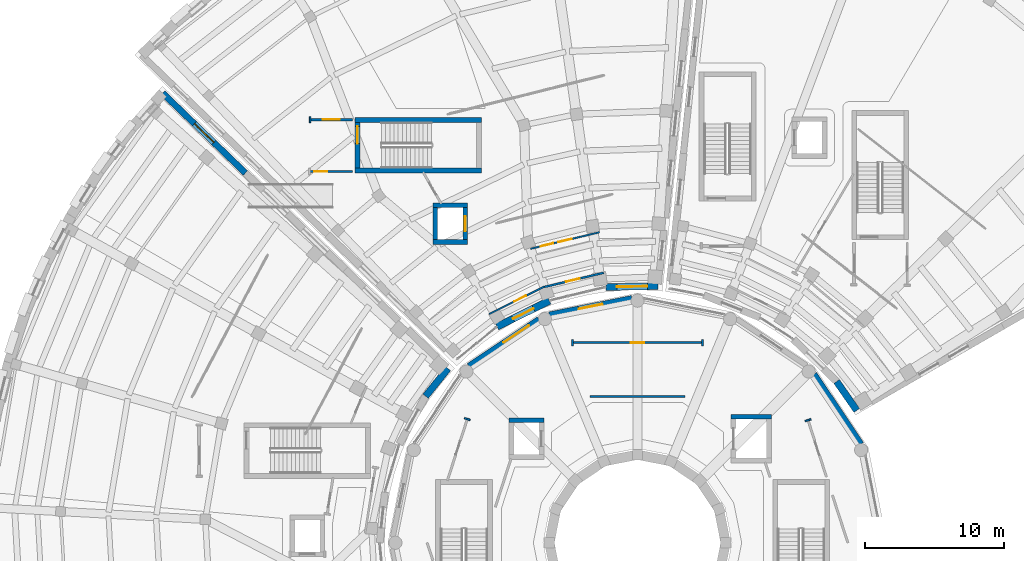
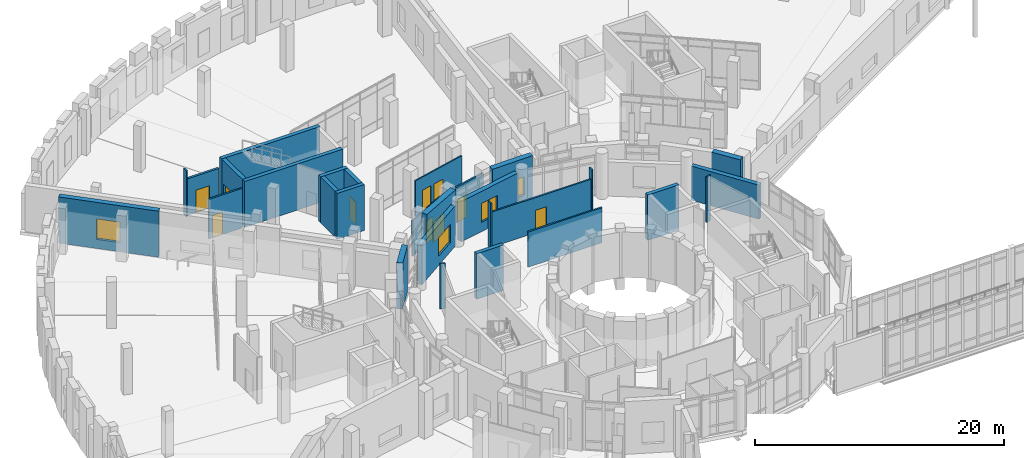
# One storey, part 68 of 89: 29 walls, 9 doors, 5 windows, 14 openings.
"""IFC4 building model written with IfcOpenShell, lengths in metres."""

from ifc_helpers import new_model, si_unit, direction, frame, frame_2d, origin, place, context, subcontext, project, spatial, rectangle, extrude, material, layer, layer_set, type_object, element, fill, save


model = new_model("IFC4")

# Units and contexts
model_context = context("Model", 3, precision=1e-05, world=origin(), true_north=direction((0.0, 1.0)))
body_context = subcontext(model_context, "Body", "Model", "MODEL_VIEW")
ifc_project = project(units=[si_unit("LENGTHUNIT", "METRE"), si_unit("AREAUNIT", "SQUARE_METRE"), si_unit("VOLUMEUNIT", "CUBIC_METRE"), si_unit("PLANEANGLEUNIT", "RADIAN"), si_unit("MASSUNIT", "GRAM", prefix="KILO")], contexts=[model_context])

# Site, building, storey
site_placement = place(None, origin())
site = spatial("IfcSite", under=ifc_project, at=site_placement, CompositionType="ELEMENT")
building_placement = place(site_placement, origin())
building = spatial("IfcBuilding", under=site, at=building_placement, Name="Soyqirgoq Riverine Aquarium", CompositionType="ELEMENT")
storey_placement = place(building_placement, frame((0.0, 0.0, 5.39990234375)))
storey = spatial("IfcBuildingStorey", under=building, at=storey_placement, Name="L02", CompositionType="ELEMENT", Elevation=5.39990234375)

# Walls
ifc_material_1 = material(Name="Concrete C40/50", Category="concrete")
ifc_layer_1 = layer(ifc_material_1, 0.35009765625)
ifc_layer_set_1 = layer_set([ifc_layer_1], Name="Concrete C40/50")
wall_type_1 = type_object("IfcWallType", Name="CoreShearWall_350_C40", PredefinedType="SHEAR", material=ifc_layer_set_1)
wall_1_placement = place(storey_placement, frame((65.655029296875, 66.080078125, 0.0), z_axis=(0.0, 0.0, 1.0), x_axis=(-1.0, 0.0, 0.0)))
element("IfcWall", 1, at=wall_1_placement, inside=storey, type_object=wall_type_1, Name="Lift GL-1 Shaft Wall L02 3", PredefinedType="SHEAR", context=body_context, shape_type="SweptSolid", body=[
    extrude(rectangle(XDim=2.909912109375, YDim=0.35009765625, at=frame_2d((1.455078125, 0.0))), origin(), (0.0, 0.0, 1.0), 4.4501953125),
])
wall_2_placement = place(storey_placement, frame((49.2548828125, 65.830078125, 0.0), z_axis=(0.0, 0.0, 1.0), x_axis=(-1.0, 0.0, 0.0)))
element("IfcWall", 2, at=wall_2_placement, inside=storey, type_object=wall_type_1, Name="Lift PL-1 Shaft Wall L02 3", PredefinedType="SHEAR", context=body_context, shape_type="SweptSolid", body=[
    extrude(rectangle(XDim=2.509765625, YDim=0.35009765625, at=frame_2d((1.2548828125, 0.0))), origin(), (0.0, 0.0, 1.0), 4.4501953125),
])
for number, where, z_axis, x_axis, name in (
    (3, (35.64990234375, 83.824951171875, 0.0), (0.0, 0.0, 1.0), (1.0, 0.0, 0.0), "CORE-4 L02 Stair Core Shear Wall SIDE1"),
    (4, (44.75, 87.47509765625, 0.0), (0.0, 0.0, 1.0), (-1.0, 0.0, 0.0), "CORE-4 L02 Stair Core Shear Wall SIDE2"),
):
    element("IfcWall", number, at=place(storey_placement, frame(where, z_axis=z_axis, x_axis=x_axis)), inside=storey, type_object=wall_type_1, Name=name, PredefinedType="SHEAR", context=body_context, shape_type="SweptSolid", body=[
        extrude(rectangle(XDim=9.10009765625, YDim=0.35009765625, at=frame_2d((4.550048828125, 0.0))), origin(), (0.0, 0.0, 1.0), 4.5),
    ])

# Wall, opening, door
wall_3_placement = place(storey_placement, frame((35.824951171875, 87.300048828125, 0.0), z_axis=(0.0, 0.0, 1.0), x_axis=(0.0, -1.0, 0.0)))
wall_3 = element("IfcWall", 5, at=wall_3_placement, inside=storey, type_object=wall_type_1, Name="CORE-4 L02 Stair Core Shear Wall FRONT", PredefinedType="SHEAR", context=body_context, shape_type="SweptSolid", body=[
    extrude(rectangle(XDim=3.300048828125, YDim=0.35009765625, at=frame_2d((1.64990234375, 0.0))), origin(), (0.0, 0.0, 1.0), 4.5),
])
opening_1_placement = place(wall_3_placement, frame((0.280029296875, 0.0, 0.0)))
opening_1 = element("IfcOpeningElement", 6, at=opening_1_placement, cuts=wall_3, Name="Opening FD-01", PredefinedType="OPENING", context=body_context, shape_type="SweptSolid", body=[
    extrude(rectangle(XDim=1.25, YDim=2.199951171875, at=frame_2d((0.625, 1.10009765625))), frame((0.0, 0.18505859375, 0.0), z_axis=(0.0, -1.0, 0.0), x_axis=(1.0, 0.0, 0.0)), (0.0, 0.0, 1.0), 0.3701171875),
])
ifc_material_2 = material(Name="Galvanised steel fire-resisting stair door", Category="steel")
door_type_1 = type_object("IfcDoorType", Name="StairFireDoor_1250x2200_EI90", OperationType="NOTDEFINED", PredefinedType="DOOR", material=ifc_material_2)
door_1_placement = place(opening_1_placement, origin())
door_1 = element("IfcDoor", 7, at=door_1_placement, inside=storey, type_object=door_type_1, Name="DR-ST-4-L02 ST-4 L02 Fire-Rated Stairwell Door", OperationType="SINGLE_SWING_LEFT", OverallHeight=2.199951171875, OverallWidth=1.25, PredefinedType="DOOR", context=body_context, shape_type="SweptSolid", body=[
    extrude(rectangle(XDim=1.25, YDim=2.199951171875, at=frame_2d((0.625, 1.10009765625))), frame((0.0, 0.02490234375, 0.0), z_axis=(0.0, -1.0, 0.0), x_axis=(1.0, 0.0, 0.0)), (0.0, 0.0, 1.0), 0.050048828125),
])
fill(opening_1, door_1)

# Wall
wall_4_placement = place(storey_placement, frame((41.2451171875, 78.669921875, 0.0), z_axis=(0.0, 0.0, 1.0), x_axis=(1.0, 0.0, 0.0)))
element("IfcWall", 8, at=wall_4_placement, inside=storey, type_object=wall_type_1, Name="Lift PL-3 Shaft Wall L02 1", PredefinedType="SHEAR", context=body_context, shape_type="SweptSolid", body=[
    extrude(rectangle(XDim=2.509765625, YDim=0.35009765625, at=frame_2d((1.2548828125, 0.0))), origin(), (0.0, 0.0, 1.0), 4.5),
])

# Wall, opening, door
wall_5_placement = place(storey_placement, frame((43.580078125, 78.844970703125, 0.0), z_axis=(0.0, 0.0, 1.0), x_axis=(0.0, 1.0, 0.0)))
wall_5 = element("IfcWall", 9, at=wall_5_placement, inside=storey, type_object=wall_type_1, Name="Lift PL-3 Shaft Wall L02 2", PredefinedType="SHEAR", context=body_context, shape_type="SweptSolid", body=[
    extrude(rectangle(XDim=2.31005859375, YDim=0.35009765625, at=frame_2d((1.155029296875, 0.0))), origin(), (0.0, 0.0, 1.0), 4.5),
])
opening_2_placement = place(wall_5_placement, frame((0.60498046875, 0.0, 0.0)))
opening_2 = element("IfcOpeningElement", 10, at=opening_2_placement, cuts=wall_5, Name="Opening LD-01", PredefinedType="OPENING", context=body_context, shape_type="SweptSolid", body=[
    extrude(rectangle(XDim=1.10009765625, YDim=2.199951171875, at=frame_2d((0.550048828125, 1.10009765625))), frame((0.0, 0.18505859375, 0.0), z_axis=(0.0, -1.0, 0.0), x_axis=(1.0, 0.0, 0.0)), (0.0, 0.0, 1.0), 0.3701171875),
])
ifc_material_3 = material(Name="Brushed stainless steel telescopic lift landing door", Category="steel")
door_type_2 = type_object("IfcDoorType", Name="LiftLandingDoor_1100x2200", OperationType="SLIDING_TO_LEFT", PredefinedType="DOOR", material=ifc_material_3)
door_2_placement = place(opening_2_placement, origin())
door_2 = element("IfcDoor", 11, at=door_2_placement, inside=storey, type_object=door_type_2, Name="LD-PL-3-L02 Lift PL-3 L02 Sliding Landing Door", OperationType="SLIDING_TO_LEFT", OverallHeight=2.199951171875, OverallWidth=1.10009765625, PredefinedType="DOOR", context=body_context, shape_type="SweptSolid", body=[
    extrude(rectangle(XDim=1.10009765625, YDim=2.199951171875, at=frame_2d((0.550048828125, 1.10009765625))), frame((0.0, 0.02490234375, 0.0), z_axis=(0.0, -1.0, 0.0), x_axis=(1.0, 0.0, 0.0)), (0.0, 0.0, 1.0), 0.050048828125),
])
fill(opening_2, door_2)

# Walls
wall_6_placement = place(storey_placement, frame((43.7548828125, 81.330078125, 0.0), z_axis=(0.0, 0.0, 1.0), x_axis=(-1.0, 0.0, 0.0)))
element("IfcWall", 12, at=wall_6_placement, inside=storey, type_object=wall_type_1, Name="Lift PL-3 Shaft Wall L02 3", PredefinedType="SHEAR", context=body_context, shape_type="SweptSolid", body=[
    extrude(rectangle(XDim=2.509765625, YDim=0.35009765625, at=frame_2d((1.2548828125, 0.0))), origin(), (0.0, 0.0, 1.0), 4.5),
])
wall_7_placement = place(storey_placement, frame((41.419921875, 81.155029296875, 0.0), z_axis=(0.0, 0.0, 1.0), x_axis=(0.0, -1.0, 0.0)))
element("IfcWall", 13, at=wall_7_placement, inside=storey, type_object=wall_type_1, Name="Lift PL-3 Shaft Wall L02 4", PredefinedType="SHEAR", context=body_context, shape_type="SweptSolid", body=[
    extrude(rectangle(XDim=2.31005859375, YDim=0.35009765625, at=frame_2d((1.155029296875, 0.0))), origin(), (0.0, 0.0, 1.0), 4.5),
])
ifc_material_4 = material(Name="Lightweight steel-stud gypsum partition", Category="steel")
ifc_layer_2 = layer(ifc_material_4, 0.1201171875)
ifc_layer_set_2 = layer_set([ifc_layer_2], Name="Lightweight steel-stud gypsum partition")
wall_type_2 = type_object("IfcWallType", Name="PartitionWall_120_Std", PredefinedType="PARTITIONING", material=ifc_layer_set_2)
for number, where, z_axis, x_axis, name in (
    (14, (51.314208984375, 71.200927734375, 0.0), (0.0, 0.0, 1.0), (0.0, 1.0, 0.0), "V1 L02 Jamb Return Pier"),
    (15, (60.685791015625, 71.200927734375, 0.0), (0.0, 0.0, 1.0), (0.0, 1.0, 0.0), "V1 L02 Jamb Return Pier"),
):
    element("IfcWall", number, at=place(storey_placement, frame(where, z_axis=z_axis, x_axis=x_axis)), inside=storey, type_object=wall_type_2, Name=name, PredefinedType="PARTITIONING", context=body_context, shape_type="SweptSolid", body=[
        extrude(rectangle(XDim=0.440185546875, YDim=0.1201171875, at=frame_2d((0.22021484375, 0.0))), origin(), (0.0, 0.0, 1.0), 4.4501953125),
    ])
wall_8_placement = place(storey_placement, frame((43.94189453125, 65.8447265625, 0.0), z_axis=(0.0, 0.0, 1.0), x_axis=(-0.950989181438, 0.309224152984, 0.0)))
element("IfcWall", 16, at=wall_8_placement, inside=storey, type_object=wall_type_2, Name="V1 L02 Jamb Return Pier", PredefinedType="PARTITIONING", context=body_context, shape_type="SweptSolid", body=[
    extrude(rectangle(XDim=0.439697265625, YDim=0.1201171875, at=frame_2d((0.2197265625, 0.0))), origin(), (0.0, 0.0, 1.0), 4.4501953125),
])
wall_9_placement = place(storey_placement, frame((68.083984375, 65.7646484375, 0.0), z_axis=(0.0, 0.0, 1.0), x_axis=(0.951042223598, 0.309060979314, 0.0)))
element("IfcWall", 17, at=wall_9_placement, inside=storey, type_object=wall_type_2, Name="V1 L02 Jamb Return Pier", PredefinedType="PARTITIONING", context=body_context, shape_type="SweptSolid", body=[
    extrude(rectangle(XDim=0.43994140625, YDim=0.1201171875, at=frame_2d((0.219970703125, 0.0))), origin(), (0.0, 0.0, 1.0), 4.4501953125),
])

# Wall, openings, doors
wall_10_placement = place(storey_placement, frame((53.251708984375, 79.3818359375, 0.0), z_axis=(0.0, 0.0, 1.0), x_axis=(-0.972378185718, -0.233410933633, 0.0)))
wall_10 = element("IfcWall", 18, at=wall_10_placement, inside=storey, type_object=wall_type_2, Name="V4 Gallery Circulation Corridor Partition Wall", PredefinedType="PARTITIONING", context=body_context, shape_type="SweptSolid", body=[
    extrude(rectangle(XDim=5.10546875, YDim=0.1201171875, at=frame_2d((2.552734375, 0.0))), origin(), (0.0, 0.0, 1.0), 3.489990234375),
])
opening_3_placement = place(wall_10_placement, frame((2.052734375, 0.0, 0.0)))
opening_3 = element("IfcOpeningElement", 19, at=opening_3_placement, cuts=wall_10, Name="Opening ID-03", PredefinedType="OPENING", context=body_context, shape_type="SweptSolid", body=[
    extrude(rectangle(XDim=1.0, YDim=2.199951171875, at=frame_2d((0.5, 1.10009765625))), frame((0.0, 0.070068359375, 0.0), z_axis=(0.0, -1.0, 0.0), x_axis=(1.0, 0.0, 0.0)), (0.0, 0.0, 1.0), 0.14013671875),
])
opening_4_placement = place(wall_10_placement, frame((3.407470703125, 0.0, 0.0)))
opening_4 = element("IfcOpeningElement", 20, at=opening_4_placement, cuts=wall_10, Name="Opening ID-06", PredefinedType="OPENING", context=body_context, shape_type="SweptSolid", body=[
    extrude(rectangle(XDim=0.949951171875, YDim=2.199951171875, at=frame_2d((0.47509765625, 1.10009765625))), frame((0.0, 0.070068359375, 0.0), z_axis=(0.0, -1.0, 0.0), x_axis=(1.0, 0.0, 0.0)), (0.0, 0.0, 1.0), 0.14013671875),
])
ifc_material_5 = material(Name="Solid-core ash veneer room door", Category="wood")
door_type_3 = type_object("IfcDoorType", Name="RoomDoor_1000x2200", OperationType="NOTDEFINED", PredefinedType="DOOR", material=ifc_material_5)
door_3_placement = place(opening_3_placement, origin())
door_3 = element("IfcDoor", 21, at=door_3_placement, inside=storey, type_object=door_type_3, Name="IDR-V4-L02-0116 Wave Surge Tank Gallery Door", OperationType="SINGLE_SWING_LEFT", OverallHeight=2.199951171875, OverallWidth=1.0, PredefinedType="DOOR", context=body_context, shape_type="SweptSolid", body=[
    extrude(rectangle(XDim=1.0, YDim=2.199951171875, at=frame_2d((0.5, 1.10009765625))), frame((0.0, 0.02490234375, 0.0), z_axis=(0.0, -1.0, 0.0), x_axis=(1.0, 0.0, 0.0)), (0.0, 0.0, 1.0), 0.050048828125),
])
fill(opening_3, door_3)
ifc_material_6 = material(Name="Moisture-resistant HPL washroom door", Category="wood")
door_type_4 = type_object("IfcDoorType", Name="WCDoor_950x2200", OperationType="NOTDEFINED", PredefinedType="DOOR", material=ifc_material_6)
door_4_placement = place(opening_4_placement, origin())
door_4 = element("IfcDoor", 22, at=door_4_placement, inside=storey, type_object=door_type_4, Name="IDR-V4-L02-0121 V4 Gallery Circulation Corridor Access Door", OperationType="SINGLE_SWING_RIGHT", OverallHeight=2.199951171875, OverallWidth=0.949951171875, PredefinedType="DOOR", context=body_context, shape_type="SweptSolid", body=[
    extrude(rectangle(XDim=0.949951171875, YDim=2.199951171875, at=frame_2d((0.47509765625, 1.10009765625))), frame((0.0, 0.02490234375, 0.0), z_axis=(0.0, -1.0, 0.0), x_axis=(1.0, 0.0, 0.0)), (0.0, 0.0, 1.0), 0.050048828125),
])
fill(opening_4, door_4)

# Wall, opening, door
wall_11_placement = place(storey_placement, frame((45.2978515625, 73.47998046875, 0.0), z_axis=(0.0, 0.0, 1.0), x_axis=(0.894931487964, 0.446203576689, 0.0)))
wall_11 = element("IfcWall", 23, at=wall_11_placement, inside=storey, type_object=wall_type_2, Name="V4 Gallery Circulation Corridor Partition Wall", PredefinedType="PARTITIONING", context=body_context, shape_type="SweptSolid", body=[
    extrude(rectangle(XDim=4.448974609375, YDim=0.1201171875, at=frame_2d((2.224609375, 0.0))), origin(), (0.0, 0.0, 1.0), 3.489990234375),
])
opening_5_placement = place(wall_11_placement, frame((2.029296875, 0.0, 0.0)))
opening_5 = element("IfcOpeningElement", 24, at=opening_5_placement, cuts=wall_11, Name="Opening ID-06", PredefinedType="OPENING", context=body_context, shape_type="SweptSolid", body=[
    extrude(rectangle(XDim=0.949951171875, YDim=2.199951171875, at=frame_2d((0.47509765625, 1.10009765625))), frame((0.0, 0.070068359375, 0.0), z_axis=(0.0, -1.0, 0.0), x_axis=(1.0, 0.0, 0.0)), (0.0, 0.0, 1.0), 0.14013671875),
])
door_5_placement = place(opening_5_placement, origin())
door_5 = element("IfcDoor", 25, at=door_5_placement, inside=storey, type_object=door_type_4, Name="IDR-V4-L02-0117 Subtidal Cave Exhibit Door", OperationType="SINGLE_SWING_RIGHT", OverallHeight=2.199951171875, OverallWidth=0.949951171875, PredefinedType="DOOR", context=body_context, shape_type="SweptSolid", body=[
    extrude(rectangle(XDim=0.949951171875, YDim=2.199951171875, at=frame_2d((0.47509765625, 1.10009765625))), frame((0.0, 0.02490234375, 0.0), z_axis=(0.0, -1.0, 0.0), x_axis=(1.0, 0.0, 0.0)), (0.0, 0.0, 1.0), 0.050048828125),
])
fill(opening_5, door_5)

# Wall
wall_12_placement = place(storey_placement, frame((32.39990234375, 87.719970703125, 0.0), z_axis=(0.0, 0.0, 1.0), x_axis=(0.0, -1.0, 0.0)))
element("IfcWall", 26, at=wall_12_placement, inside=storey, type_object=wall_type_2, Name="V4 L02 Jamb Return Pier", PredefinedType="PARTITIONING", context=body_context, shape_type="SweptSolid", body=[
    extrude(rectangle(XDim=0.43994140625, YDim=0.1201171875, at=frame_2d((0.219970703125, 0.0))), origin(), (0.0, 0.0, 1.0), 4.5),
])

# Wall, opening, door
ifc_material_7 = material(Name="Acoustic mineral-wool twin-stud partition", Category="gypsum")
ifc_layer_3 = layer(ifc_material_7, 0.14990234375)
ifc_layer_set_3 = layer_set([ifc_layer_3], Name="Acoustic mineral-wool twin-stud partition")
wall_type_3 = type_object("IfcWallType", Name="PartitionWall_150_Acoustic", PredefinedType="PARTITIONING", material=ifc_layer_set_3)
wall_13_placement = place(storey_placement, frame((51.314208984375, 71.4208984375, 0.0), z_axis=(0.0, 0.0, 1.0), x_axis=(1.0, 0.0, 0.0)))
wall_13 = element("IfcWall", 27, at=wall_13_placement, inside=storey, type_object=wall_type_3, Name="Ocean Tank Mid-Water Viewing Hall Partition Wall", PredefinedType="PARTITIONING", context=body_context, shape_type="SweptSolid", body=[
    extrude(rectangle(XDim=9.37158203125, YDim=0.14990234375, at=frame_2d((4.685791015625, 0.0))), origin(), (0.0, 0.0, 1.0), 3.440185546875),
])
opening_6_placement = place(wall_13_placement, frame((4.185791015625, 0.0, 0.0)))
opening_6 = element("IfcOpeningElement", 28, at=opening_6_placement, cuts=wall_13, Name="Opening ID-03", PredefinedType="OPENING", context=body_context, shape_type="SweptSolid", body=[
    extrude(rectangle(XDim=1.0, YDim=2.199951171875, at=frame_2d((0.5, 1.10009765625))), frame((0.0, 0.0849609375, 0.0), z_axis=(0.0, -1.0, 0.0), x_axis=(1.0, 0.0, 0.0)), (0.0, 0.0, 1.0), 0.169921875),
])
door_6_placement = place(opening_6_placement, origin())
door_6 = element("IfcDoor", 29, at=door_6_placement, inside=storey, type_object=door_type_3, Name="IDR-V1-L02-0029 Ocean Drum Circulation Corridor Door", OperationType="SINGLE_SWING_RIGHT", OverallHeight=2.199951171875, OverallWidth=1.0, PredefinedType="DOOR", context=body_context, shape_type="SweptSolid", body=[
    extrude(rectangle(XDim=1.0, YDim=2.199951171875, at=frame_2d((0.5, 1.10009765625))), frame((0.0, 0.02490234375, 0.0), z_axis=(0.0, -1.0, 0.0), x_axis=(1.0, 0.0, 0.0)), (0.0, 0.0, 1.0), 0.050048828125),
])
fill(opening_6, door_6)

# Wall
wall_14_placement = place(storey_placement, frame((59.426025390625, 67.544189453125, 0.0), z_axis=(0.0, 0.0, 1.0), x_axis=(-1.0, 0.0, 0.0)))
element("IfcWall", 30, at=wall_14_placement, inside=storey, type_object=wall_type_3, Name="Shoaling Pelagic Gallery Partition Wall", PredefinedType="PARTITIONING", context=body_context, shape_type="SweptSolid", body=[
    extrude(rectangle(XDim=6.85205078125, YDim=0.14990234375, at=frame_2d((3.426025390625, 0.0))), origin(), (0.0, 0.0, 1.0), 3.440185546875),
])

# Wall, opening, door
wall_15_placement = place(storey_placement, frame((35.449951171875, 83.760009765625, 0.0), z_axis=(0.0, 0.0, 1.0), x_axis=(-1.0, 0.0, 0.0)))
wall_15 = element("IfcWall", 31, at=wall_15_placement, inside=storey, type_object=wall_type_3, Name="Kelp Forest Gallery Partition Wall", PredefinedType="PARTITIONING", context=body_context, shape_type="SweptSolid", body=[
    extrude(rectangle(XDim=3.08984375, YDim=0.14990234375, at=frame_2d((1.544921875, 0.0))), origin(), (0.0, 0.0, 1.0), 3.89013671875),
])
opening_7_placement = place(wall_15_placement, frame((1.819091796875, 0.0, 0.0)))
opening_7 = element("IfcOpeningElement", 32, at=opening_7_placement, cuts=wall_15, Name="Opening ID-06", PredefinedType="OPENING", context=body_context, shape_type="SweptSolid", body=[
    extrude(rectangle(XDim=0.949951171875, YDim=2.199951171875, at=frame_2d((0.47509765625, 1.10009765625))), frame((0.0, 0.0849609375, 0.0), z_axis=(0.0, -1.0, 0.0), x_axis=(1.0, 0.0, 0.0)), (0.0, 0.0, 1.0), 0.169921875),
])
door_7_placement = place(opening_7_placement, origin())
door_7 = element("IfcDoor", 33, at=door_7_placement, inside=storey, type_object=door_type_4, Name="IDR-V4-L02-0118 Kelp Forest Gallery Door", OperationType="SINGLE_SWING_LEFT", OverallHeight=2.199951171875, OverallWidth=0.949951171875, PredefinedType="DOOR", context=body_context, shape_type="SweptSolid", body=[
    extrude(rectangle(XDim=0.949951171875, YDim=2.199951171875, at=frame_2d((0.47509765625, 1.10009765625))), frame((0.0, 0.02490234375, 0.0), z_axis=(0.0, -1.0, 0.0), x_axis=(1.0, 0.0, 0.0)), (0.0, 0.0, 1.0), 0.050048828125),
])
fill(opening_7, door_7)

wall_16_placement = place(storey_placement, frame((53.564208984375, 76.462890625, 0.0), z_axis=(0.0, 0.0, 1.0), x_axis=(-0.972373227856, -0.233431586872, 0.0)))
wall_16 = element("IfcWall", 34, at=wall_16_placement, inside=storey, type_object=wall_type_3, Name="Subtidal Cave Exhibit Partition Wall", PredefinedType="PARTITIONING", context=body_context, shape_type="SweptSolid", body=[
    extrude(rectangle(XDim=4.409423828125, YDim=0.14990234375, at=frame_2d((2.20458984375, 0.0))), origin(), (0.0, 0.0, 1.0), 3.489990234375),
])
opening_8_placement = place(wall_16_placement, frame((1.7978515625, 0.0, 0.0)))
opening_8 = element("IfcOpeningElement", 35, at=opening_8_placement, cuts=wall_16, Name="Opening ID-03", PredefinedType="OPENING", context=body_context, shape_type="SweptSolid", body=[
    extrude(rectangle(XDim=1.0, YDim=2.199951171875, at=frame_2d((0.5, 1.10009765625))), frame((0.0, 0.0849609375, 0.0), z_axis=(0.0, -1.0, 0.0), x_axis=(1.0, 0.0, 0.0)), (0.0, 0.0, 1.0), 0.169921875),
])
door_8_placement = place(opening_8_placement, origin())
door_8 = element("IfcDoor", 36, at=door_8_placement, inside=storey, type_object=door_type_3, Name="IDR-V4-L02-0120 Subtidal Cave Exhibit Door", OperationType="SINGLE_SWING_LEFT", OverallHeight=2.199951171875, OverallWidth=1.0, PredefinedType="DOOR", context=body_context, shape_type="SweptSolid", body=[
    extrude(rectangle(XDim=1.0, YDim=2.199951171875, at=frame_2d((0.5, 1.10009765625))), frame((0.0, 0.02490234375, 0.0), z_axis=(0.0, -1.0, 0.0), x_axis=(1.0, 0.0, 0.0)), (0.0, 0.0, 1.0), 0.050048828125),
])
fill(opening_8, door_8)

ifc_material_8 = material(Name="Fire-rated calcium silicate twin-stud partition", Category="gypsum")
ifc_layer_4 = layer(ifc_material_8, 0.199951171875)
ifc_layer_set_4 = layer_set([ifc_layer_4], Name="Fire-rated calcium silicate twin-stud partition")
wall_type_4 = type_object("IfcWallType", Name="PartitionWall_200_EI90", PredefinedType="PARTITIONING", material=ifc_layer_set_4)
wall_17_placement = place(storey_placement, frame((35.449951171875, 87.5, 0.0), z_axis=(0.0, 0.0, 1.0), x_axis=(-1.0, 0.0, 0.0)))
wall_17 = element("IfcWall", 37, at=wall_17_placement, inside=storey, type_object=wall_type_4, Name="Lift and Stair Lobby ST-4 Fire Enclosure Wall", PredefinedType="PARTITIONING", context=body_context, shape_type="SweptSolid", body=[
    extrude(rectangle(XDim=3.050048828125, YDim=0.199951171875, at=frame_2d((1.52490234375, 0.0))), origin(), (0.0, 0.0, 1.0), 3.590087890625),
])
opening_9_placement = place(wall_17_placement, frame((0.89990234375, 0.0, 0.0)))
opening_9 = element("IfcOpeningElement", 38, at=opening_9_placement, cuts=wall_17, Name="Opening FD-01", PredefinedType="OPENING", context=body_context, shape_type="SweptSolid", body=[
    extrude(rectangle(XDim=1.25, YDim=2.199951171875, at=frame_2d((0.625, 1.10009765625))), frame((0.0, 0.10986328125, 0.0), z_axis=(0.0, -1.0, 0.0), x_axis=(1.0, 0.0, 0.0)), (0.0, 0.0, 1.0), 0.219970703125),
])
door_9_placement = place(opening_9_placement, origin())
door_9 = element("IfcDoor", 39, at=door_9_placement, inside=storey, type_object=door_type_1, Name="IDR-V4-L02-0115 Lift and Stair Lobby ST-4 Egress Fire Door", OperationType="SINGLE_SWING_LEFT", OverallHeight=2.199951171875, OverallWidth=1.25, PredefinedType="DOOR", context=body_context, shape_type="SweptSolid", body=[
    extrude(rectangle(XDim=1.25, YDim=2.199951171875, at=frame_2d((0.625, 1.10009765625))), frame((0.0, 0.02490234375, 0.0), z_axis=(0.0, -1.0, 0.0), x_axis=(1.0, 0.0, 0.0)), (0.0, 0.0, 1.0), 0.050048828125),
])
fill(opening_9, door_9)

# Wall, opening, window
ifc_material_9 = material(Name="Honed travertine limestone cavity wall", Category="masonry")
ifc_layer_5 = layer(ifc_material_9, 0.449951171875)
ifc_layer_set_5 = layer_set([ifc_layer_5], Name="Honed travertine limestone cavity wall")
wall_type_5 = type_object("IfcWallType", Name="TravertineCavityWall_450", PredefinedType="SOLIDWALL", material=ifc_layer_set_5)
wall_18_placement = place(storey_placement, frame((21.77734375, 89.408935546875, 0.0), z_axis=(0.0, 0.0, 1.0), x_axis=(0.719341564929, -0.694656543168, 0.0)))
wall_18 = element("IfcWall", 40, at=wall_18_placement, inside=storey, type_object=wall_type_5, Name="V3 L02 Exterior Travertine Wall 0134", PredefinedType="SOLIDWALL", context=body_context, shape_type="SweptSolid", body=[
    extrude(rectangle(XDim=8.2880859375, YDim=0.449951171875, at=frame_2d((4.14404296875, 0.0))), origin(), (0.0, 0.0, 1.0), 4.52001953125),
])
opening_10_placement = place(wall_18_placement, frame((3.1689453125, 0.0, 0.89990234375)))
opening_10 = element("IfcOpeningElement", 41, at=opening_10_placement, cuts=wall_18, Name="Opening WN-14", PredefinedType="OPENING", context=body_context, shape_type="SweptSolid", body=[
    extrude(rectangle(XDim=1.949951171875, YDim=2.0, at=frame_2d((0.97509765625, 1.0))), frame((0.0, 0.23486328125, 0.0), z_axis=(0.0, -1.0, 0.0), x_axis=(1.0, 0.0, 0.0)), (0.0, 0.0, 1.0), 0.469970703125),
])
ifc_material_10 = material(Name="Thermally broken aluminium triple low-E window", Category="aluminium")
window_type_1 = type_object("IfcWindowType", Name="Win_Gallery_1950x2000", PartitioningType="DOUBLE_PANEL_VERTICAL", PredefinedType="WINDOW", material=ifc_material_10)
window_1_placement = place(opening_10_placement, origin())
window_1 = element("IfcWindow", 42, at=window_1_placement, inside=storey, type_object=window_type_1, Name="V3 L02 Facade Window 0091", OverallHeight=2.0, OverallWidth=1.949951171875, PartitioningType="DOUBLE_PANEL_VERTICAL", PredefinedType="WINDOW", context=body_context, shape_type="SweptSolid", body=[
    extrude(rectangle(XDim=1.949951171875, YDim=2.0, at=frame_2d((0.97509765625, 1.0))), frame((0.0, 0.030029296875, 0.0), z_axis=(0.0, -1.0, 0.0), x_axis=(1.0, 0.0, 0.0)), (0.0, 0.0, 1.0), 0.06005859375),
])
fill(opening_10, window_1)

# Wall
ifc_material_11 = material(Name="Honed travertine limestone cavity wall", Category="masonry")
ifc_layer_6 = layer(ifc_material_11, 0.5)
ifc_layer_set_6 = layer_set([ifc_layer_6], Name="Honed travertine limestone cavity wall")
wall_type_6 = type_object("IfcWallType", Name="TravertineCavityWall_500", PredefinedType="SOLIDWALL", material=ifc_layer_set_6)
wall_19_placement = place(storey_placement, frame((42.335693359375, 69.55615234375, 0.0), z_axis=(0.0, 0.0, 1.0), x_axis=(-0.6281751712, -0.77807194673, 0.0)))
element("IfcWall", 43, at=wall_19_placement, inside=storey, type_object=wall_type_6, Name="V3 L02 Exterior Travertine Wall 0138", PredefinedType="SOLIDWALL", context=body_context, shape_type="SweptSolid", body=[
    extrude(rectangle(XDim=2.56201171875, YDim=0.5, at=frame_2d((1.281005859375, 0.0))), origin(), (0.0, 0.0, 1.0), 4.52001953125),
])

# Wall, opening, window
wall_20_placement = place(storey_placement, frame((57.481689453125, 75.499267578125, 0.0), z_axis=(0.0, 0.0, 1.0), x_axis=(-0.99983815897, -0.017990438221, 0.0)))
wall_20 = element("IfcWall", 44, at=wall_20_placement, inside=storey, type_object=wall_type_6, Name="V4 L02 Exterior Travertine Wall 0198", PredefinedType="SOLIDWALL", context=body_context, shape_type="SweptSolid", body=[
    extrude(rectangle(XDim=3.745361328125, YDim=0.5, at=frame_2d((1.87255859375, 0.0))), origin(), (0.0, 0.0, 1.0), 4.5),
])
opening_11_placement = place(wall_20_placement, frame((0.772705078125, 0.0, 0.89990234375)))
opening_11 = element("IfcOpeningElement", 45, at=opening_11_placement, cuts=wall_20, Name="Opening WN-09", PredefinedType="OPENING", context=body_context, shape_type="SweptSolid", body=[
    extrude(rectangle(XDim=2.199951171875, YDim=1.800048828125, at=frame_2d((1.10009765625, 0.89990234375))), frame((0.0, 0.260009765625, 0.0), z_axis=(0.0, -1.0, 0.0), x_axis=(1.0, 0.0, 0.0)), (0.0, 0.0, 1.0), 0.52001953125),
])
ifc_material_12 = material(Name="Thermally broken aluminium triple low-E window", Category="aluminium")
window_type_2 = type_object("IfcWindowType", Name="Win_Office_2200x1800", PartitioningType="TRIPLE_PANEL_VERTICAL", PredefinedType="WINDOW", material=ifc_material_12)
window_2_placement = place(opening_11_placement, origin())
window_2 = element("IfcWindow", 46, at=window_2_placement, inside=storey, type_object=window_type_2, Name="V4 L02 Facade Window 0145", OverallHeight=1.800048828125, OverallWidth=2.199951171875, PartitioningType="TRIPLE_PANEL_VERTICAL", PredefinedType="WINDOW", context=body_context, shape_type="SweptSolid", body=[
    extrude(rectangle(XDim=2.199951171875, YDim=1.800048828125, at=frame_2d((1.10009765625, 0.89990234375))), frame((0.0, 0.030029296875, 0.0), z_axis=(0.0, -1.0, 0.0), x_axis=(1.0, 0.0, 0.0)), (0.0, 0.0, 1.0), 0.06005859375),
])
fill(opening_11, window_2)

# Wall
wall_21_placement = place(storey_placement, frame((71.803466796875, 66.539794921875, 0.0), z_axis=(0.0, 0.0, 1.0), x_axis=(-0.570994039062, 0.820954205395, 0.0)))
element("IfcWall", 47, at=wall_21_placement, inside=storey, type_object=wall_type_6, Name="V5 L02 Exterior Travertine Wall 0280", PredefinedType="SOLIDWALL", context=body_context, shape_type="SweptSolid", body=[
    extrude(rectangle(XDim=2.53857421875, YDim=0.5, at=frame_2d((1.269287109375, 0.0))), origin(), (0.0, 0.0, 1.0), 4.5),
])

# Wall, opening, window
ifc_material_13 = material(Name="Honed travertine limestone cavity wall", Category="masonry")
ifc_layer_7 = layer(ifc_material_13, 0.52001953125)
ifc_layer_set_7 = layer_set([ifc_layer_7], Name="Honed travertine limestone cavity wall")
wall_type_7 = type_object("IfcWallType", Name="TravertineCavityWall_520", PredefinedType="SOLIDWALL", material=ifc_layer_set_7)
wall_22_placement = place(storey_placement, frame((49.648681640625, 74.4501953125, 0.0), z_axis=(0.0, 0.0, 1.0), x_axis=(-0.894937601865, -0.446191314088, 0.0)))
wall_22 = element("IfcWall", 48, at=wall_22_placement, inside=storey, type_object=wall_type_7, Name="V4 L02 Exterior Travertine Wall 0199", PredefinedType="SOLIDWALL", context=body_context, shape_type="SweptSolid", body=[
    extrude(rectangle(XDim=4.204345703125, YDim=0.52001953125, at=frame_2d((2.10205078125, 0.0))), origin(), (0.0, 0.0, 1.0), 4.5),
])
opening_12_placement = place(wall_22_placement, frame((1.277099609375, 0.0, 0.89990234375)))
opening_12 = element("IfcOpeningElement", 49, at=opening_12_placement, cuts=wall_22, Name="Opening WN-13", PredefinedType="OPENING", context=body_context, shape_type="SweptSolid", body=[
    extrude(rectangle(XDim=1.64990234375, YDim=2.0, at=frame_2d((0.824951171875, 1.0))), frame((0.0, 0.27001953125, 0.0), z_axis=(0.0, -1.0, 0.0), x_axis=(1.0, 0.0, 0.0)), (0.0, 0.0, 1.0), 0.5400390625),
])
ifc_material_14 = material(Name="Thermally broken aluminium triple low-E window", Category="aluminium")
window_type_3 = type_object("IfcWindowType", Name="Win_Gallery_1650x2000", PartitioningType="DOUBLE_PANEL_VERTICAL", PredefinedType="WINDOW", material=ifc_material_14)
window_3_placement = place(opening_12_placement, origin())
window_3 = element("IfcWindow", 50, at=window_3_placement, inside=storey, type_object=window_type_3, Name="V4 L02 Facade Window 0146", OverallHeight=2.0, OverallWidth=1.64990234375, PartitioningType="DOUBLE_PANEL_VERTICAL", PredefinedType="WINDOW", context=body_context, shape_type="SweptSolid", body=[
    extrude(rectangle(XDim=1.64990234375, YDim=2.0, at=frame_2d((0.824951171875, 1.0))), frame((0.0, 0.030029296875, 0.0), z_axis=(0.0, -1.0, 0.0), x_axis=(1.0, 0.0, 0.0)), (0.0, 0.0, 1.0), 0.06005859375),
])
fill(opening_12, window_3)

# Wall
ifc_material_15 = material(Name="Honed travertine limestone cavity wall", Category="masonry")
ifc_layer_8 = layer(ifc_material_15, 0.39990234375)
ifc_layer_set_8 = layer_set([ifc_layer_8], Name="Honed travertine limestone cavity wall")
wall_type_8 = type_object("IfcWallType", Name="TravertineSpandrelWall_400", PredefinedType="SOLIDWALL", material=ifc_layer_set_8)
wall_23_placement = place(storey_placement, frame((68.7490234375, 69.16650390625, 0.0), z_axis=(0.0, 0.0, 1.0), x_axis=(0.555600769994, -0.831449207338, 0.0)))
element("IfcWall", 51, at=wall_23_placement, inside=storey, type_object=wall_type_8, Name="V1 L02 Exterior Travertine Wall 0003", PredefinedType="SOLIDWALL", context=body_context, shape_type="SweptSolid", body=[
    extrude(rectangle(XDim=6.066162109375, YDim=0.39990234375, at=frame_2d((3.033203125, 0.0))), origin(), (0.0, 0.0, 1.0), 3.340087890625),
])

# Wall, opening, window
wall_24_placement = place(storey_placement, frame((43.83349609375, 69.7490234375, 0.0), z_axis=(0.0, 0.0, 1.0), x_axis=(0.831449207338, 0.555600769994, 0.0)))
wall_24 = element("IfcWall", 52, at=wall_24_placement, inside=storey, type_object=wall_type_8, Name="V1 L02 Exterior Travertine Wall 0022", PredefinedType="SOLIDWALL", context=body_context, shape_type="SweptSolid", body=[
    extrude(rectangle(XDim=6.066162109375, YDim=0.39990234375, at=frame_2d((3.033203125, 0.0))), origin(), (0.0, 0.0, 1.0), 3.9501953125),
])
opening_13_placement = place(wall_24_placement, frame((3.033203125, 0.0, 0.89990234375)))
opening_13 = element("IfcOpeningElement", 53, at=opening_13_placement, cuts=wall_24, Name="Opening WN-09", PredefinedType="OPENING", context=body_context, shape_type="SweptSolid", body=[
    extrude(rectangle(XDim=2.199951171875, YDim=1.800048828125, at=frame_2d((1.10009765625, 0.89990234375))), frame((0.0, 0.2099609375, 0.0), z_axis=(0.0, -1.0, 0.0), x_axis=(1.0, 0.0, 0.0)), (0.0, 0.0, 1.0), 0.419921875),
])
window_4_placement = place(opening_13_placement, origin())
window_4 = element("IfcWindow", 54, at=window_4_placement, inside=storey, type_object=window_type_2, Name="V1 L02 Facade Window 0011", OverallHeight=1.800048828125, OverallWidth=2.199951171875, PartitioningType="TRIPLE_PANEL_VERTICAL", PredefinedType="WINDOW", context=body_context, shape_type="SweptSolid", body=[
    extrude(rectangle(XDim=2.199951171875, YDim=1.800048828125, at=frame_2d((1.10009765625, 0.89990234375))), frame((0.0, 0.030029296875, 0.0), z_axis=(0.0, -1.0, 0.0), x_axis=(1.0, 0.0, 0.0)), (0.0, 0.0, 1.0), 0.06005859375),
])
fill(opening_13, window_4)

ifc_material_16 = material(Name="Honed travertine limestone cavity wall", Category="masonry")
ifc_layer_9 = layer(ifc_material_16, 0.419921875)
ifc_layer_set_9 = layer_set([ifc_layer_9], Name="Honed travertine limestone cavity wall")
wall_type_9 = type_object("IfcWallType", Name="TravertineSpandrelWall_420", PredefinedType="SOLIDWALL", material=ifc_layer_set_9)
wall_25_placement = place(storey_placement, frame((49.638427734375, 73.4345703125, 0.0), z_axis=(0.0, 0.0, 1.0), x_axis=(0.980781386715, 0.195109895888, 0.0)))
wall_25 = element("IfcWall", 55, at=wall_25_placement, inside=storey, type_object=wall_type_9, Name="V1 L02 Exterior Travertine Wall 0016", PredefinedType="SOLIDWALL", context=body_context, shape_type="SweptSolid", body=[
    extrude(rectangle(XDim=6.06640625, YDim=0.419921875, at=frame_2d((3.033203125, 0.0))), origin(), (0.0, 0.0, 1.0), 3.940185546875),
])
opening_14_placement = place(wall_25_placement, frame((2.158203125, 0.0, 0.89990234375)))
opening_14 = element("IfcOpeningElement", 56, at=opening_14_placement, cuts=wall_25, Name="Opening WN-19", PredefinedType="OPENING", context=body_context, shape_type="SweptSolid", body=[
    extrude(rectangle(XDim=1.75, YDim=1.85009765625, at=frame_2d((0.875, 0.925048828125))), frame((0.0, 0.219970703125, 0.0), z_axis=(0.0, -1.0, 0.0), x_axis=(1.0, 0.0, 0.0)), (0.0, 0.0, 1.0), 0.43994140625),
])
ifc_material_17 = material(Name="Thermally broken aluminium triple low-E window", Category="aluminium")
window_type_4 = type_object("IfcWindowType", Name="Win_Office_1750x1850", PartitioningType="DOUBLE_PANEL_VERTICAL", PredefinedType="WINDOW", material=ifc_material_17)
window_5_placement = place(opening_14_placement, origin())
window_5 = element("IfcWindow", 57, at=window_5_placement, inside=storey, type_object=window_type_4, Name="V1 L02 Facade Window 0007", OverallHeight=1.85009765625, OverallWidth=1.75, PartitioningType="DOUBLE_PANEL_VERTICAL", PredefinedType="WINDOW", context=body_context, shape_type="SweptSolid", body=[
    extrude(rectangle(XDim=1.75, YDim=1.85009765625, at=frame_2d((0.875, 0.925048828125))), frame((0.0, 0.030029296875, 0.0), z_axis=(0.0, -1.0, 0.0), x_axis=(1.0, 0.0, 0.0)), (0.0, 0.0, 1.0), 0.06005859375),
])
fill(opening_14, window_5)

save(model, "model.ifc")
